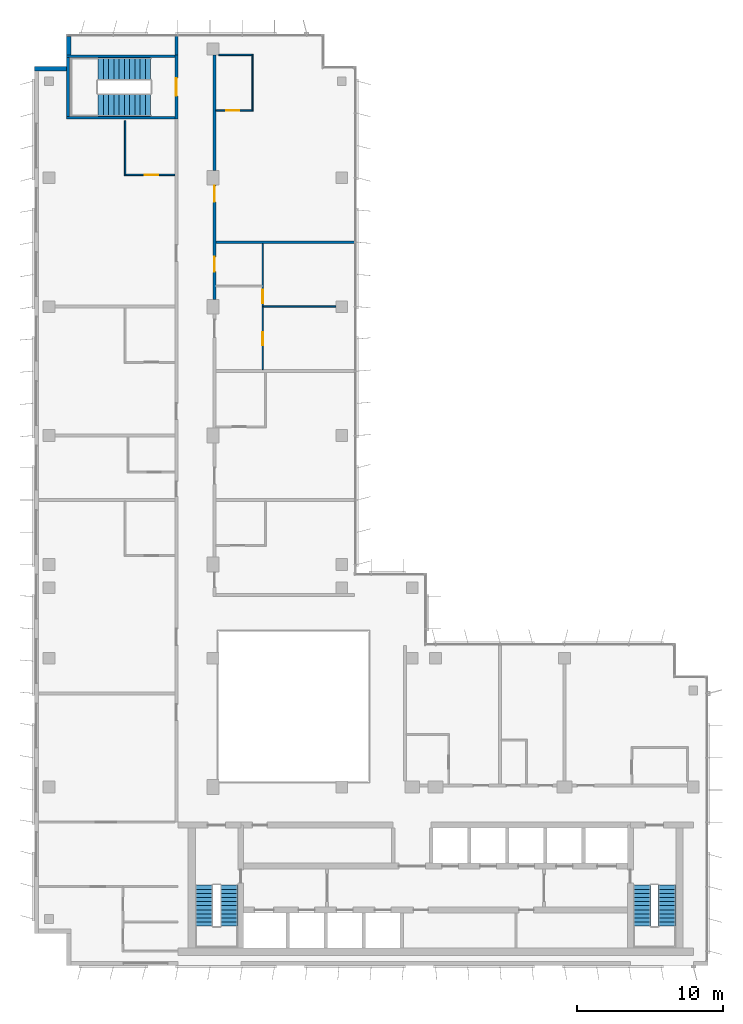
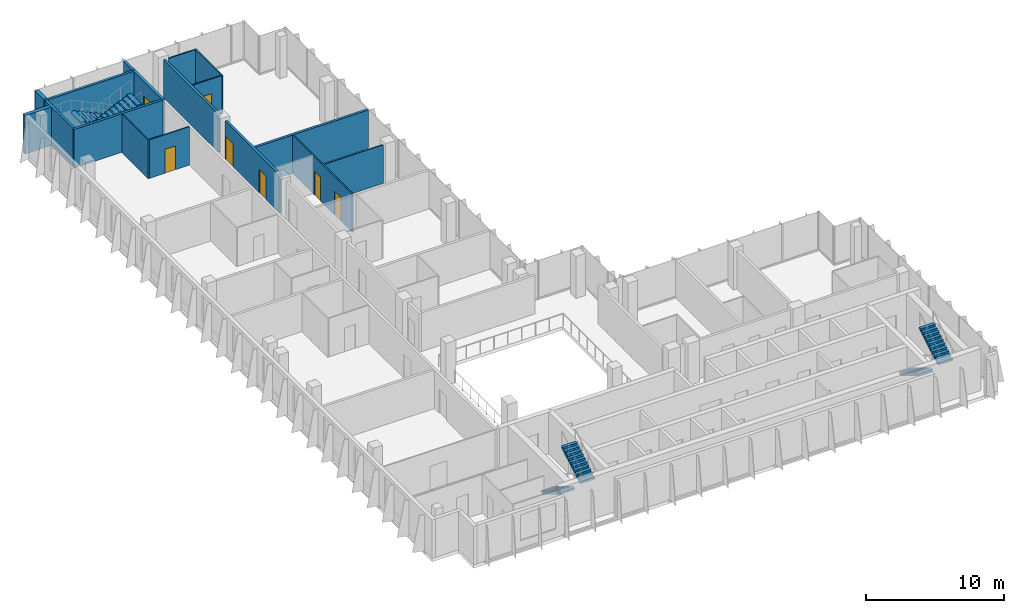
# One storey, part 12 of 15: 17 walls, 7 doors, 6 stair flights, 7 openings, 3 elements without a shape of their own.
"""IFC4 building model written with IfcOpenShell, lengths in metres."""

from ifc_helpers import new_model, si_unit, direction, frame, frame_2d, origin, place, context, subcontext, project, spatial, polyline, rectangle, outline, extrude, material, layer, layer_set, type_object, element, fill, aggregate, save


model = new_model("IFC4")

# Units and contexts
model_context = context("Model", 3, precision=1e-05, world=origin(), true_north=direction((0.0, 1.0)))
body_context = subcontext(model_context, "Body", "Model", "MODEL_VIEW")
ifc_project = project(units=[si_unit("LENGTHUNIT", "METRE"), si_unit("AREAUNIT", "SQUARE_METRE"), si_unit("VOLUMEUNIT", "CUBIC_METRE"), si_unit("PLANEANGLEUNIT", "RADIAN"), si_unit("MASSUNIT", "GRAM", prefix="KILO")], contexts=[model_context])

# Site, building, storey
site_placement = place(None, origin())
site = spatial("IfcSite", under=ifc_project, at=site_placement, CompositionType="ELEMENT")
building_placement = place(site_placement, origin())
building = spatial("IfcBuilding", under=site, at=building_placement, Name="Kemantara Hotel Tower", CompositionType="ELEMENT")
storey_placement = place(building_placement, frame((0.0, 0.0, 264.800048828125)))
storey = spatial("IfcBuildingStorey", under=building, at=storey_placement, Name="L66", CompositionType="ELEMENT", Elevation=264.800048828125)

# Walls
ifc_material_1 = material(Name="Bronze anodised aluminium cladding on insulated steel stud wall", Category="steel")
ifc_layer_1 = layer(ifc_material_1, 0.300048828125)
ifc_layer_set_1 = layer_set([ifc_layer_1], Name="Bronze anodised aluminium cladding on insulated steel stud wall")
wall_type_1 = type_object("IfcWallType", Name="BRONZE METAL-CLAD EXTERNAL WALL 300", PredefinedType="STANDARD", material=ifc_layer_set_1)
wall_1_placement = place(storey_placement, frame((2.35009765625, 63.449951171875, 0.0), z_axis=(0.0, 0.0, 1.0), x_axis=(0.0, -1.0, 0.0)))
element("IfcWall", 1, at=wall_1_placement, inside=storey, type_object=wall_type_1, Name="EXTERNAL WALL L66 T4-R03", PredefinedType="STANDARD", context=body_context, shape_type="SweptSolid", body=[
    extrude(rectangle(XDim=1.25, YDim=0.300048828125, at=frame_2d((0.625, 0.0))), origin(), (0.0, 0.0, 1.0), 3.39990234375),
])
wall_2_placement = place(storey_placement, frame((2.199951171875, 61.25, 0.0), z_axis=(0.0, 0.0, 1.0), x_axis=(-1.0, 0.0, 0.0)))
element("IfcWall", 2, at=wall_2_placement, inside=storey, type_object=wall_type_1, Name="EXTERNAL WALL L66 T4-R04", PredefinedType="STANDARD", context=body_context, shape_type="SweptSolid", body=[
    extrude(rectangle(XDim=2.199951171875, YDim=0.300048828125, at=frame_2d((1.10009765625, 0.0))), origin(), (0.0, 0.0, 1.0), 3.39990234375),
])
ifc_material_2 = material(Name="Gypsum board partition, steel studs and mineral wool, 200 mm", Category="steel")
ifc_layer_2 = layer(ifc_material_2, 0.199951171875)
ifc_layer_set_2 = layer_set([ifc_layer_2], Name="Gypsum board partition, steel studs and mineral wool, 200 mm")
wall_type_2 = type_object("IfcWallType", Name="CORRIDOR WALL 200", PredefinedType="PARTITIONING", material=ifc_layer_set_2)
wall_3_placement = place(storey_placement, frame((9.699951171875, 62.199951171875, 0.0), z_axis=(0.0, 0.0, 1.0), x_axis=(0.0, 1.0, 0.0)))
element("IfcWall", 3, at=wall_3_placement, inside=storey, type_object=wall_type_2, Name="CORRIDOR WALL 200 008", PredefinedType="PARTITIONING", context=body_context, shape_type="SweptSolid", body=[
    extrude(rectangle(XDim=1.280029296875, YDim=0.199951171875, at=frame_2d((0.64013671875, 0.0))), origin(), (0.0, 0.0, 1.0), 3.39990234375),
])

# Wall, openings, doors
wall_4_placement = place(storey_placement, frame((12.300048828125, 53.2998046875, 0.0), z_axis=(0.0, 0.0, 1.0), x_axis=(0.0, -1.0, 0.0)))
wall_4 = element("IfcWall", 4, at=wall_4_placement, inside=storey, type_object=wall_type_2, Name="CORRIDOR WALL 200 017", PredefinedType="PARTITIONING", context=body_context, shape_type="SweptSolid", body=[
    extrude(rectangle(XDim=7.7998046875, YDim=0.199951171875, at=frame_2d((3.89990234375, 0.0))), origin(), (0.0, 0.0, 1.0), 3.39990234375),
])
opening_1_placement = place(wall_4_placement, frame((4.89990234375, 0.0, 0.0)))
opening_1 = element("IfcOpeningElement", 5, at=opening_1_placement, cuts=wall_4, Name="Opening F32-024", PredefinedType="OPENING", context=body_context, shape_type="SweptSolid", body=[
    extrude(rectangle(XDim=1.0, YDim=2.10009765625, at=frame_2d((0.5, 1.050048828125))), frame((0.0, 0.10986328125, 0.0), z_axis=(0.0, -1.0, 0.0), x_axis=(1.0, 0.0, 0.0)), (0.0, 0.0, 1.0), 0.219970703125),
])
opening_2_placement = place(wall_4_placement, frame((0.0498046875, 0.0, 0.0)))
opening_2 = element("IfcOpeningElement", 6, at=opening_2_placement, cuts=wall_4, Name="Opening F32-028", PredefinedType="OPENING", context=body_context, shape_type="SweptSolid", body=[
    extrude(rectangle(XDim=1.10009765625, YDim=2.10009765625, at=frame_2d((0.550048828125, 1.050048828125))), frame((0.0, 0.10986328125, 0.0), z_axis=(0.0, -1.0, 0.0), x_axis=(1.0, 0.0, 0.0)), (0.0, 0.0, 1.0), 0.219970703125),
])
ifc_material_3 = material(Name="Steel door leaf with steel frame", Category="steel")
door_type_1 = type_object("IfcDoorType", Name="SERVICE ROOM DOOR 1000 X 2100 FD60", OperationType="NOTDEFINED", PredefinedType="DOOR", material=ifc_material_3)
door_1_placement = place(opening_1_placement, origin())
door_1 = element("IfcDoor", 7, at=door_1_placement, inside=storey, type_object=door_type_1, Name="SERVICE ROOM DOOR F32-024", OperationType="SINGLE_SWING_LEFT", OverallHeight=2.10009765625, OverallWidth=1.0, PredefinedType="DOOR", context=body_context, shape_type="SweptSolid", body=[
    extrude(rectangle(XDim=1.0, YDim=2.10009765625, at=frame_2d((0.5, 1.050048828125))), frame((0.0, 0.02490234375, 0.0), z_axis=(0.0, -1.0, 0.0), x_axis=(1.0, 0.0, 0.0)), (0.0, 0.0, 1.0), 0.050048828125),
])
fill(opening_1, door_1)
ifc_material_4 = material(Name="Hardwood veneer door leaf with steel frame", Category="steel")
door_type_2 = type_object("IfcDoorType", Name="SUITE ENTRANCE DOOR 1100 X 2100 FD30S", OperationType="NOTDEFINED", PredefinedType="DOOR", material=ifc_material_4)
door_2_placement = place(opening_2_placement, origin())
door_2 = element("IfcDoor", 8, at=door_2_placement, inside=storey, type_object=door_type_2, Name="SUITE ENTRANCE DOOR F32-028", OperationType="SINGLE_SWING_RIGHT", OverallHeight=2.10009765625, OverallWidth=1.10009765625, PredefinedType="DOOR", context=body_context, shape_type="SweptSolid", body=[
    extrude(rectangle(XDim=1.10009765625, YDim=2.10009765625, at=frame_2d((0.550048828125, 1.050048828125))), frame((0.0, 0.02490234375, 0.0), z_axis=(0.0, -1.0, 0.0), x_axis=(1.0, 0.0, 0.0)), (0.0, 0.0, 1.0), 0.050048828125),
])
fill(opening_2, door_2)

# Wall
wall_5_placement = place(storey_placement, frame((12.300048828125, 54.300048828125, 0.0), z_axis=(0.0, 0.0, 1.0), x_axis=(0.0, 1.0, 0.0)))
element("IfcWall", 9, at=wall_5_placement, inside=storey, type_object=wall_type_2, Name="CORRIDOR WALL 200 018", PredefinedType="PARTITIONING", context=body_context, shape_type="SweptSolid", body=[
    extrude(rectangle(XDim=7.89990234375, YDim=0.199951171875, at=frame_2d((3.949951171875, 0.0))), origin(), (0.0, 0.0, 1.0), 3.39990234375),
])

# Wall, opening, door
ifc_material_5 = material(Name="Concrete fc 40 MPa", Category="concrete")
ifc_layer_3 = layer(ifc_material_5, 0.199951171875)
ifc_layer_set_3 = layer_set([ifc_layer_3], Name="Concrete fc 40 MPa")
wall_type_3 = type_object("IfcWallType", Name="Concrete stair wall 200 mm", PredefinedType="SHEAR", material=ifc_layer_set_3)
wall_6_placement = place(storey_placement, frame((9.699951171875, 57.800048828125, 0.0), z_axis=(0.0, 0.0, 1.0), x_axis=(0.0, 1.0, 0.0)))
wall_6 = element("IfcWall", 10, at=wall_6_placement, inside=storey, type_object=wall_type_3, Name="Stair ST4 enclosure wall with door", PredefinedType="SHEAR", context=body_context, shape_type="SweptSolid", body=[
    extrude(rectangle(XDim=4.39990234375, YDim=0.199951171875, at=frame_2d((2.199951171875, 0.0))), origin(), (0.0, 0.0, 1.0), 3.39990234375),
])
opening_3_placement = place(wall_6_placement, frame((1.60009765625, 0.0, 0.0)))
opening_3 = element("IfcOpeningElement", 11, at=opening_3_placement, cuts=wall_6, Name="Opening ST4-C", PredefinedType="OPENING", context=body_context, shape_type="SweptSolid", body=[
    extrude(rectangle(XDim=1.199951171875, YDim=2.10009765625, at=frame_2d((0.60009765625, 1.050048828125))), frame((0.0, 0.10986328125, 0.0), z_axis=(0.0, -1.0, 0.0), x_axis=(1.0, 0.0, 0.0)), (0.0, 0.0, 1.0), 0.219970703125),
])
ifc_material_6 = material(Name="Steel fire door", Category="steel")
door_type_3 = type_object("IfcDoorType", Name="Fire door FD90 1200 x 2100", OperationType="NOTDEFINED", PredefinedType="DOOR", material=ifc_material_6)
door_3_placement = place(opening_3_placement, origin())
door_3 = element("IfcDoor", 12, at=door_3_placement, inside=storey, type_object=door_type_3, Name="Stair ST4 door", OperationType="SINGLE_SWING_RIGHT", OverallHeight=2.10009765625, OverallWidth=1.199951171875, PredefinedType="DOOR", context=body_context, shape_type="SweptSolid", body=[
    extrude(rectangle(XDim=1.199951171875, YDim=2.10009765625, at=frame_2d((0.60009765625, 1.050048828125))), frame((0.0, 0.02490234375, 0.0), z_axis=(0.0, -1.0, 0.0), x_axis=(1.0, 0.0, 0.0)), (0.0, 0.0, 1.0), 0.050048828125),
])
fill(opening_3, door_3)

# Walls
for number, where, z_axis, x_axis, name in (
    (13, (2.199951171875, 62.10009765625, 0.0), (0.0, 0.0, 1.0), (1.0, 0.0, 0.0), "Stair ST4 enclosure wall N"),
    (14, (2.199951171875, 57.89990234375, 0.0), (0.0, 0.0, 1.0), (1.0, 0.0, 0.0), "Stair ST4 enclosure wall S"),
):
    element("IfcWall", number, at=place(storey_placement, frame(where, z_axis=z_axis, x_axis=x_axis)), inside=storey, type_object=wall_type_3, Name=name, PredefinedType="SHEAR", context=body_context, shape_type="SweptSolid", body=[
        extrude(rectangle(XDim=7.400146484375, YDim=0.199951171875, at=frame_2d((3.7001953125, 0.0))), origin(), (0.0, 0.0, 1.0), 3.39990234375),
    ])
wall_7_placement = place(storey_placement, frame((2.300048828125, 58.0, 0.0), z_axis=(0.0, 0.0, 1.0), x_axis=(0.0, 1.0, 0.0)))
element("IfcWall", 15, at=wall_7_placement, inside=storey, type_object=wall_type_3, Name="Stair ST4 enclosure wall W", PredefinedType="SHEAR", context=body_context, shape_type="SweptSolid", body=[
    extrude(rectangle(XDim=4.0, YDim=0.199951171875, at=frame_2d((2.0, 0.0))), origin(), (0.0, 0.0, 1.0), 3.39990234375),
])
ifc_layer_4 = layer(ifc_material_2, 0.199951171875)
ifc_layer_set_4 = layer_set([ifc_layer_4], Name="Gypsum board partition, steel studs and mineral wool, 200 mm")
wall_type_4 = type_object("IfcWallType", Name="GUEST ROOM PARTY WALL 200", PredefinedType="PARTITIONING", material=ifc_layer_set_4)
wall_8_placement = place(storey_placement, frame((12.39990234375, 49.39990234375, 0.0), z_axis=(0.0, 0.0, 1.0), x_axis=(1.0, 0.0, 0.0)))
element("IfcWall", 16, at=wall_8_placement, inside=storey, type_object=wall_type_4, Name="GUEST ROOM PARTY WALL 200 021", PredefinedType="PARTITIONING", context=body_context, shape_type="SweptSolid", body=[
    extrude(rectangle(XDim=9.47021484375, YDim=0.199951171875, at=frame_2d((4.735107421875, 0.0))), origin(), (0.0, 0.0, 1.0), 3.39990234375),
])
ifc_material_7 = material(Name="Gypsum board partition on steel studs, 100 mm", Category="steel")
ifc_layer_5 = layer(ifc_material_7, 0.10009765625)
ifc_layer_set_5 = layer_set([ifc_layer_5], Name="Gypsum board partition on steel studs, 100 mm")
wall_type_5 = type_object("IfcWallType", Name="ROOM PARTITION 100", PredefinedType="PARTITIONING", material=ifc_layer_set_5)
wall_9_placement = place(storey_placement, frame((6.199951171875, 53.949951171875, 0.0), z_axis=(0.0, 0.0, 1.0), x_axis=(0.0, 1.0, 0.0)))
element("IfcWall", 17, at=wall_9_placement, inside=storey, type_object=wall_type_5, Name="ROOM PARTITION 100 036", PredefinedType="PARTITIONING", context=body_context, shape_type="SweptSolid", body=[
    extrude(rectangle(XDim=3.75, YDim=0.10009765625, at=frame_2d((1.875, 0.0))), origin(), (0.0, 0.0, 1.0), 3.39990234375),
])

# Wall, opening, door
wall_10_placement = place(storey_placement, frame((6.25, 54.0, 0.0), z_axis=(0.0, 0.0, 1.0), x_axis=(1.0, 0.0, 0.0)))
wall_10 = element("IfcWall", 18, at=wall_10_placement, inside=storey, type_object=wall_type_5, Name="ROOM PARTITION 100 041", PredefinedType="PARTITIONING", context=body_context, shape_type="SweptSolid", body=[
    extrude(rectangle(XDim=3.35009765625, YDim=0.10009765625, at=frame_2d((1.675048828125, 0.0))), origin(), (0.0, 0.0, 1.0), 3.39990234375),
])
opening_4_placement = place(wall_10_placement, frame((1.300048828125, 0.0, 0.0)))
opening_4 = element("IfcOpeningElement", 19, at=opening_4_placement, cuts=wall_10, Name="Opening F32-019", PredefinedType="OPENING", context=body_context, shape_type="SweptSolid", body=[
    extrude(rectangle(XDim=0.89990234375, YDim=2.10009765625, at=frame_2d((0.449951171875, 1.050048828125))), frame((0.0, 0.06005859375, 0.0), z_axis=(0.0, -1.0, 0.0), x_axis=(1.0, 0.0, 0.0)), (0.0, 0.0, 1.0), 0.1201171875),
])
door_type_4 = type_object("IfcDoorType", Name="BATHROOM DOOR 900 X 2100", OperationType="NOTDEFINED", PredefinedType="DOOR", material=ifc_material_4)
door_4_placement = place(opening_4_placement, origin())
door_4 = element("IfcDoor", 20, at=door_4_placement, inside=storey, type_object=door_type_4, Name="BATHROOM DOOR F32-019", OperationType="SINGLE_SWING_RIGHT", OverallHeight=2.10009765625, OverallWidth=0.89990234375, PredefinedType="DOOR", context=body_context, shape_type="SweptSolid", body=[
    extrude(rectangle(XDim=0.89990234375, YDim=2.10009765625, at=frame_2d((0.449951171875, 1.050048828125))), frame((0.0, 0.02490234375, 0.0), z_axis=(0.0, -1.0, 0.0), x_axis=(1.0, 0.0, 0.0)), (0.0, 0.0, 1.0), 0.050048828125),
])
fill(opening_4, door_4)

# Wall, openings, doors
wall_11_placement = place(storey_placement, frame((15.60009765625, 49.300048828125, 0.0), z_axis=(0.0, 0.0, 1.0), x_axis=(0.0, -1.0, 0.0)))
wall_11 = element("IfcWall", 21, at=wall_11_placement, inside=storey, type_object=wall_type_5, Name="ROOM PARTITION 100 046", PredefinedType="PARTITIONING", context=body_context, shape_type="SweptSolid", body=[
    extrude(rectangle(XDim=8.60009765625, YDim=0.10009765625, at=frame_2d((4.300048828125, 0.0))), origin(), (0.0, 0.0, 1.0), 3.39990234375),
])
opening_5_placement = place(wall_11_placement, frame((3.14990234375, 0.0, 0.0)))
opening_5 = element("IfcOpeningElement", 22, at=opening_5_placement, cuts=wall_11, Name="Opening F32-026", PredefinedType="OPENING", context=body_context, shape_type="SweptSolid", body=[
    extrude(rectangle(XDim=0.89990234375, YDim=2.10009765625, at=frame_2d((0.449951171875, 1.050048828125))), frame((0.0, 0.06005859375, 0.0), z_axis=(0.0, -1.0, 0.0), x_axis=(1.0, 0.0, 0.0)), (0.0, 0.0, 1.0), 0.1201171875),
])
opening_6_placement = place(wall_11_placement, frame((6.050048828125, 0.0, 0.0)))
opening_6 = element("IfcOpeningElement", 23, at=opening_6_placement, cuts=wall_11, Name="Opening F32-027", PredefinedType="OPENING", context=body_context, shape_type="SweptSolid", body=[
    extrude(rectangle(XDim=0.89990234375, YDim=2.10009765625, at=frame_2d((0.449951171875, 1.050048828125))), frame((0.0, 0.06005859375, 0.0), z_axis=(0.0, -1.0, 0.0), x_axis=(1.0, 0.0, 0.0)), (0.0, 0.0, 1.0), 0.1201171875),
])
door_type_5 = type_object("IfcDoorType", Name="INTERNAL DOOR 900 X 2100", OperationType="NOTDEFINED", PredefinedType="DOOR", material=ifc_material_4)
door_5_placement = place(opening_5_placement, origin())
door_5 = element("IfcDoor", 24, at=door_5_placement, inside=storey, type_object=door_type_5, Name="INTERNAL DOOR F32-026", OperationType="SINGLE_SWING_RIGHT", OverallHeight=2.10009765625, OverallWidth=0.89990234375, PredefinedType="DOOR", context=body_context, shape_type="SweptSolid", body=[
    extrude(rectangle(XDim=0.89990234375, YDim=2.10009765625, at=frame_2d((0.449951171875, 1.050048828125))), frame((0.0, 0.02490234375, 0.0), z_axis=(0.0, -1.0, 0.0), x_axis=(1.0, 0.0, 0.0)), (0.0, 0.0, 1.0), 0.050048828125),
])
fill(opening_5, door_5)
door_6_placement = place(opening_6_placement, origin())
door_6 = element("IfcDoor", 25, at=door_6_placement, inside=storey, type_object=door_type_5, Name="INTERNAL DOOR F32-027", OperationType="SINGLE_SWING_RIGHT", OverallHeight=2.10009765625, OverallWidth=0.89990234375, PredefinedType="DOOR", context=body_context, shape_type="SweptSolid", body=[
    extrude(rectangle(XDim=0.89990234375, YDim=2.10009765625, at=frame_2d((0.449951171875, 1.050048828125))), frame((0.0, 0.02490234375, 0.0), z_axis=(0.0, -1.0, 0.0), x_axis=(1.0, 0.0, 0.0)), (0.0, 0.0, 1.0), 0.050048828125),
])
fill(opening_6, door_6)

# Walls
wall_12_placement = place(storey_placement, frame((15.64990234375, 45.0, 0.0), z_axis=(0.0, 0.0, 1.0), x_axis=(1.0, 0.0, 0.0)))
element("IfcWall", 26, at=wall_12_placement, inside=storey, type_object=wall_type_5, Name="ROOM PARTITION 100 048", PredefinedType="PARTITIONING", context=body_context, shape_type="SweptSolid", body=[
    extrude(rectangle(XDim=4.949951171875, YDim=0.10009765625, at=frame_2d((2.47509765625, 0.0))), origin(), (0.0, 0.0, 1.0), 3.39990234375),
])
wall_13_placement = place(storey_placement, frame((14.89990234375, 58.35009765625, 0.0), z_axis=(0.0, 0.0, 1.0), x_axis=(0.0, 1.0, 0.0)))
element("IfcWall", 27, at=wall_13_placement, inside=storey, type_object=wall_type_5, Name="ROOM PARTITION 100 049", PredefinedType="PARTITIONING", context=body_context, shape_type="SweptSolid", body=[
    extrude(rectangle(XDim=3.89990234375, YDim=0.10009765625, at=frame_2d((1.949951171875, 0.0))), origin(), (0.0, 0.0, 1.0), 3.39990234375),
])

# Wall, opening, door
wall_14_placement = place(storey_placement, frame((12.39990234375, 58.39990234375, 0.0), z_axis=(0.0, 0.0, 1.0), x_axis=(1.0, 0.0, 0.0)))
wall_14 = element("IfcWall", 28, at=wall_14_placement, inside=storey, type_object=wall_type_5, Name="ROOM PARTITION 100 050", PredefinedType="PARTITIONING", context=body_context, shape_type="SweptSolid", body=[
    extrude(rectangle(XDim=2.4501953125, YDim=0.10009765625, at=frame_2d((1.22509765625, 0.0))), origin(), (0.0, 0.0, 1.0), 3.39990234375),
])
opening_7_placement = place(wall_14_placement, frame((0.699951171875, 0.0, 0.0)))
opening_7 = element("IfcOpeningElement", 29, at=opening_7_placement, cuts=wall_14, Name="Opening F32-029", PredefinedType="OPENING", context=body_context, shape_type="SweptSolid", body=[
    extrude(rectangle(XDim=0.89990234375, YDim=2.10009765625, at=frame_2d((0.449951171875, 1.050048828125))), frame((0.0, 0.06005859375, 0.0), z_axis=(0.0, -1.0, 0.0), x_axis=(1.0, 0.0, 0.0)), (0.0, 0.0, 1.0), 0.1201171875),
])
door_7_placement = place(opening_7_placement, origin())
door_7 = element("IfcDoor", 30, at=door_7_placement, inside=storey, type_object=door_type_4, Name="BATHROOM DOOR F32-029", OperationType="SINGLE_SWING_LEFT", OverallHeight=2.10009765625, OverallWidth=0.89990234375, PredefinedType="DOOR", context=body_context, shape_type="SweptSolid", body=[
    extrude(rectangle(XDim=0.89990234375, YDim=2.10009765625, at=frame_2d((0.449951171875, 1.050048828125))), frame((0.0, 0.02490234375, 0.0), z_axis=(0.0, -1.0, 0.0), x_axis=(1.0, 0.0, 0.0)), (0.0, 0.0, 1.0), 0.050048828125),
])
fill(opening_7, door_7)

# Wall
wall_15_placement = place(storey_placement, frame((12.60009765625, 62.199951171875, 0.0), z_axis=(0.0, 0.0, 1.0), x_axis=(1.0, 0.0, 0.0)))
element("IfcWall", 31, at=wall_15_placement, inside=storey, type_object=wall_type_5, Name="ROOM PARTITION 100 051", PredefinedType="PARTITIONING", context=body_context, shape_type="SweptSolid", body=[
    extrude(rectangle(XDim=2.25, YDim=0.10009765625, at=frame_2d((1.125, 0.0))), origin(), (0.0, 0.0, 1.0), 3.39990234375),
])

# Stair, stair flights
stair_type_1 = type_object("IfcStairType", Name="Stair 1200 wide 22 risers of 168 x 280 mm", PredefinedType="HALF_TURN_STAIR", material=ifc_material_5)
stair_1_placement = place(storey_placement, origin())
stair_1 = element("IfcStair", 32, at=stair_1_placement, inside=storey, type_object=stair_type_1, Name="L66 Exit stair ST1", PredefinedType="HALF_TURN_STAIR")
stair_flight_type_1 = type_object("IfcStairFlightType", Name="Stair flight 1200 wide 168 x 280 mm", PredefinedType="STRAIGHT", material=ifc_material_5)
stair_flight_1_placement = place(storey_placement, frame((11.60009765625, 5.5, 0.0), z_axis=(0.0, 0.0, 1.0), x_axis=(0.0, -1.0, 0.0)))
stair_flight_1 = element("IfcStairFlight", 33, at=stair_flight_1_placement, type_object=stair_flight_type_1, Name="ST1 flight 1", NumberOfRisers=11, NumberOfTreads=10, PredefinedType="STRAIGHT", RiserHeight=0.168181818, TreadLength=0.28, context=body_context, shape_type="SweptSolid", body=[
    extrude(outline(polyline([(0.0, 0.0), (0.0, 0.168212890625), (0.280029296875, 0.168212890625), (0.280029296875, 0.33642578125), (0.56005859375, 0.33642578125), (0.56005859375, 0.504638671875), (0.840087890625, 0.504638671875), (0.840087890625, 0.672607421875), (1.1201171875, 0.672607421875), (1.1201171875, 0.8408203125), (1.39990234375, 0.8408203125), (1.39990234375, 1.009033203125), (1.679931640625, 1.009033203125), (1.679931640625, 1.17724609375), (1.9599609375, 1.17724609375), (1.9599609375, 1.345458984375), (2.239990234375, 1.345458984375), (2.239990234375, 1.513671875), (2.52001953125, 1.513671875), (2.52001953125, 1.681884765625), (2.800048828125, 1.681884765625), (2.800048828125, 1.85009765625), (2.800048828125, 1.5068359375), (0.291015625, 0.0), (0.0, 0.0)])), frame((0.0, 0.60009765625, 0.0), z_axis=(0.0, -1.0, 0.0), x_axis=(1.0, 0.0, 0.0)), (0.0, 0.0, 1.0), 1.199951171875),
])
stair_flight_2_placement = place(storey_placement, frame((13.300048828125, 2.699951171875, 1.849853515625), z_axis=(0.0, 0.0, 1.0), x_axis=(0.0, 1.0, 0.0)))
stair_flight_2 = element("IfcStairFlight", 34, at=stair_flight_2_placement, type_object=stair_flight_type_1, Name="ST1 flight 2", NumberOfRisers=11, NumberOfTreads=10, PredefinedType="STRAIGHT", RiserHeight=0.168181818, TreadLength=0.28, context=body_context, shape_type="SweptSolid", body=[
    extrude(outline(polyline([(0.0, 0.0), (0.0, 0.168212890625), (0.280029296875, 0.168212890625), (0.280029296875, 0.33642578125), (0.56005859375, 0.33642578125), (0.56005859375, 0.504638671875), (0.840087890625, 0.504638671875), (0.840087890625, 0.672607421875), (1.1201171875, 0.672607421875), (1.1201171875, 0.8408203125), (1.39990234375, 0.8408203125), (1.39990234375, 1.009033203125), (1.679931640625, 1.009033203125), (1.679931640625, 1.17724609375), (1.9599609375, 1.17724609375), (1.9599609375, 1.345458984375), (2.239990234375, 1.345458984375), (2.239990234375, 1.513671875), (2.52001953125, 1.513671875), (2.52001953125, 1.681884765625), (2.800048828125, 1.681884765625), (2.800048828125, 1.85009765625), (2.800048828125, 1.5068359375), (0.291015625, 0.0), (0.0, 0.0)])), frame((0.0, 0.60009765625, 0.0), z_axis=(0.0, -1.0, 0.0), x_axis=(1.0, 0.0, 0.0)), (0.0, 0.0, 1.0), 1.199951171875),
])
aggregate(stair_1, [stair_flight_1, stair_flight_2])

stair_2_placement = place(storey_placement, origin())
stair_2 = element("IfcStair", 35, at=stair_2_placement, inside=storey, type_object=stair_type_1, Name="L66 Exit stair ST2", PredefinedType="HALF_TURN_STAIR")
stair_flight_3_placement = place(storey_placement, frame((41.5, 5.5, 0.0), z_axis=(0.0, 0.0, 1.0), x_axis=(0.0, -1.0, 0.0)))
stair_flight_3 = element("IfcStairFlight", 36, at=stair_flight_3_placement, type_object=stair_flight_type_1, Name="ST2 flight 1", NumberOfRisers=11, NumberOfTreads=10, PredefinedType="STRAIGHT", RiserHeight=0.168181818, TreadLength=0.28, context=body_context, shape_type="SweptSolid", body=[
    extrude(outline(polyline([(0.0, 0.0), (0.0, 0.168212890625), (0.280029296875, 0.168212890625), (0.280029296875, 0.33642578125), (0.56005859375, 0.33642578125), (0.56005859375, 0.504638671875), (0.840087890625, 0.504638671875), (0.840087890625, 0.672607421875), (1.1201171875, 0.672607421875), (1.1201171875, 0.8408203125), (1.39990234375, 0.8408203125), (1.39990234375, 1.009033203125), (1.679931640625, 1.009033203125), (1.679931640625, 1.17724609375), (1.9599609375, 1.17724609375), (1.9599609375, 1.345458984375), (2.239990234375, 1.345458984375), (2.239990234375, 1.513671875), (2.52001953125, 1.513671875), (2.52001953125, 1.681884765625), (2.800048828125, 1.681884765625), (2.800048828125, 1.85009765625), (2.800048828125, 1.5068359375), (0.291015625, 0.0), (0.0, 0.0)])), frame((0.0, 0.60009765625, 0.0), z_axis=(0.0, -1.0, 0.0), x_axis=(1.0, 0.0, 0.0)), (0.0, 0.0, 1.0), 1.199951171875),
])
stair_flight_4_placement = place(storey_placement, frame((43.199951171875, 2.699951171875, 1.849853515625), z_axis=(0.0, 0.0, 1.0), x_axis=(0.0, 1.0, 0.0)))
stair_flight_4 = element("IfcStairFlight", 37, at=stair_flight_4_placement, type_object=stair_flight_type_1, Name="ST2 flight 2", NumberOfRisers=11, NumberOfTreads=10, PredefinedType="STRAIGHT", RiserHeight=0.168181818, TreadLength=0.28, context=body_context, shape_type="SweptSolid", body=[
    extrude(outline(polyline([(0.0, 0.0), (0.0, 0.168212890625), (0.280029296875, 0.168212890625), (0.280029296875, 0.33642578125), (0.56005859375, 0.33642578125), (0.56005859375, 0.504638671875), (0.840087890625, 0.504638671875), (0.840087890625, 0.672607421875), (1.1201171875, 0.672607421875), (1.1201171875, 0.8408203125), (1.39990234375, 0.8408203125), (1.39990234375, 1.009033203125), (1.679931640625, 1.009033203125), (1.679931640625, 1.17724609375), (1.9599609375, 1.17724609375), (1.9599609375, 1.345458984375), (2.239990234375, 1.345458984375), (2.239990234375, 1.513671875), (2.52001953125, 1.513671875), (2.52001953125, 1.681884765625), (2.800048828125, 1.681884765625), (2.800048828125, 1.85009765625), (2.800048828125, 1.5068359375), (0.291015625, 0.0), (0.0, 0.0)])), frame((0.0, 0.60009765625, 0.0), z_axis=(0.0, -1.0, 0.0), x_axis=(1.0, 0.0, 0.0)), (0.0, 0.0, 1.0), 1.199951171875),
])
aggregate(stair_2, [stair_flight_3, stair_flight_4])

stair_type_2 = type_object("IfcStairType", Name="Stair 1550 wide 22 risers of 168 x 360 mm", PredefinedType="HALF_TURN_STAIR", material=ifc_material_5)
stair_3_placement = place(storey_placement, origin())
stair_3 = element("IfcStair", 38, at=stair_3_placement, inside=storey, type_object=stair_type_2, Name="L66 Exit stair ST4", PredefinedType="HALF_TURN_STAIR")
stair_flight_type_2 = type_object("IfcStairFlightType", Name="Stair flight 1550 wide 168 x 360 mm", PredefinedType="STRAIGHT", material=ifc_material_5)
stair_flight_5_placement = place(storey_placement, frame((7.949951171875, 61.22509765625, 0.0), z_axis=(0.0, 0.0, 1.0), x_axis=(-1.0, 0.0, 0.0)))
stair_flight_5 = element("IfcStairFlight", 39, at=stair_flight_5_placement, type_object=stair_flight_type_2, Name="ST4 flight 1", NumberOfRisers=11, NumberOfTreads=10, PredefinedType="STRAIGHT", RiserHeight=0.168181818, TreadLength=0.36, context=body_context, shape_type="SweptSolid", body=[
    extrude(outline(polyline([(0.0, 0.0), (0.0, 0.168212890625), (0.360107421875, 0.168212890625), (0.360107421875, 0.33642578125), (0.719970703125, 0.33642578125), (0.719970703125, 0.504638671875), (1.080078125, 0.504638671875), (1.080078125, 0.672607421875), (1.43994140625, 0.672607421875), (1.43994140625, 0.8408203125), (1.800048828125, 0.8408203125), (1.800048828125, 1.009033203125), (2.159912109375, 1.009033203125), (2.159912109375, 1.17724609375), (2.52001953125, 1.17724609375), (2.52001953125, 1.345458984375), (2.8798828125, 1.345458984375), (2.8798828125, 1.513671875), (3.239990234375, 1.513671875), (3.239990234375, 1.681884765625), (3.60009765625, 1.681884765625), (3.60009765625, 1.85009765625), (3.60009765625, 1.516357421875), (0.354248046875, 0.0), (0.0, 0.0)])), frame((0.0, 0.77490234375, 0.0), z_axis=(0.0, -1.0, 0.0), x_axis=(1.0, 0.0, 0.0)), (0.0, 0.0, 1.0), 1.550048828125),
])
stair_flight_6_placement = place(storey_placement, frame((4.35009765625, 58.77490234375, 1.849853515625), z_axis=(0.0, 0.0, 1.0), x_axis=(1.0, 0.0, 0.0)))
stair_flight_6 = element("IfcStairFlight", 40, at=stair_flight_6_placement, type_object=stair_flight_type_2, Name="ST4 flight 2", NumberOfRisers=11, NumberOfTreads=10, PredefinedType="STRAIGHT", RiserHeight=0.168181818, TreadLength=0.36, context=body_context, shape_type="SweptSolid", body=[
    extrude(outline(polyline([(0.0, 0.0), (0.0, 0.168212890625), (0.360107421875, 0.168212890625), (0.360107421875, 0.33642578125), (0.719970703125, 0.33642578125), (0.719970703125, 0.504638671875), (1.080078125, 0.504638671875), (1.080078125, 0.672607421875), (1.43994140625, 0.672607421875), (1.43994140625, 0.8408203125), (1.800048828125, 0.8408203125), (1.800048828125, 1.009033203125), (2.159912109375, 1.009033203125), (2.159912109375, 1.17724609375), (2.52001953125, 1.17724609375), (2.52001953125, 1.345458984375), (2.8798828125, 1.345458984375), (2.8798828125, 1.513671875), (3.239990234375, 1.513671875), (3.239990234375, 1.681884765625), (3.60009765625, 1.681884765625), (3.60009765625, 1.85009765625), (3.60009765625, 1.516357421875), (0.354248046875, 0.0), (0.0, 0.0)])), frame((0.0, 0.77490234375, 0.0), z_axis=(0.0, -1.0, 0.0), x_axis=(1.0, 0.0, 0.0)), (0.0, 0.0, 1.0), 1.550048828125),
])
aggregate(stair_3, [stair_flight_5, stair_flight_6])

save(model, "model.ifc")
